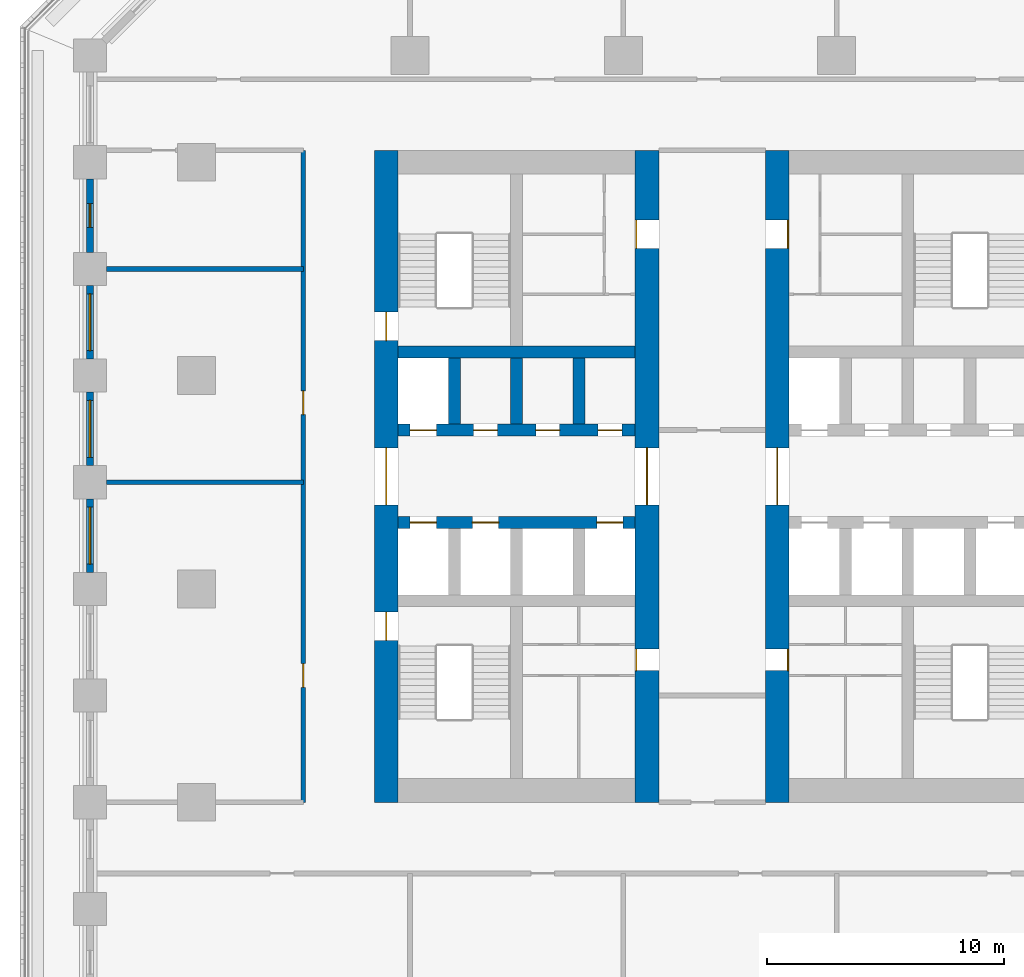
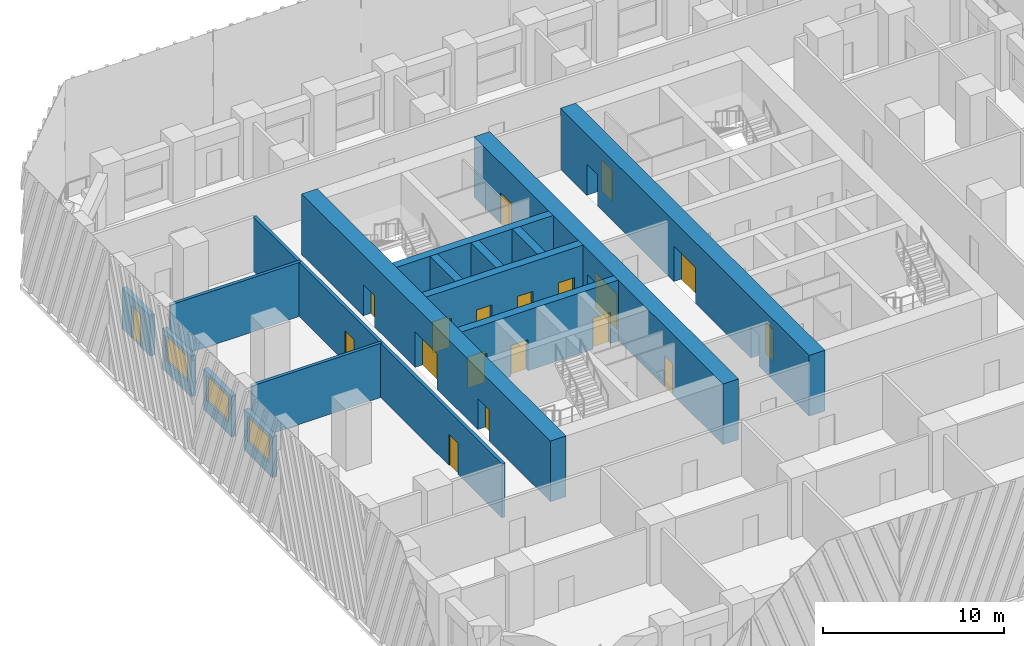
# One storey, part 5 of 14: 19 doors, 16 walls, 3 windows, 22 openings.
"""IFC4 building model written with IfcOpenShell, lengths in metres."""

from ifc_helpers import new_model, si_unit, direction, frame, frame_2d, origin, place, context, subcontext, project, spatial, rectangle, extrude, material, layer, layer_set, type_object, element, fill, save


model = new_model("IFC4")

# Units and contexts
model_context = context("Model", 3, precision=1e-05, world=origin(), true_north=direction((0.0, 1.0)))
body_context = subcontext(model_context, "Body", "Model", "MODEL_VIEW")
ifc_project = project(units=[si_unit("LENGTHUNIT", "METRE"), si_unit("AREAUNIT", "SQUARE_METRE"), si_unit("VOLUMEUNIT", "CUBIC_METRE"), si_unit("PLANEANGLEUNIT", "RADIAN"), si_unit("MASSUNIT", "GRAM", prefix="KILO")], contexts=[model_context])

# Site, building, storey
site_placement = place(None, origin())
site = spatial("IfcSite", under=ifc_project, at=site_placement, CompositionType="ELEMENT")
building_placement = place(site_placement, origin())
building = spatial("IfcBuilding", under=site, at=building_placement, Name="Corbel Stack Research Tower", CompositionType="ELEMENT")
storey_placement = place(building_placement, frame((0.0, 0.0, 58.300048828125)))
storey = spatial("IfcBuildingStorey", under=building, at=storey_placement, Name="L13", CompositionType="ELEMENT", Elevation=58.300048828125)

# Wall, openings, doors
ifc_material_1 = material(Name="Concrete C70/85", Category="concrete")
ifc_layer_1 = layer(ifc_material_1, 1.0)
ifc_layer_set_1 = layer_set([ifc_layer_1], Name="Concrete C70/85")
wall_type_1 = type_object("IfcWallType", Name="CW-1000-70", PredefinedType="SHEAR", material=ifc_layer_set_1)
wall_1_placement = place(storey_placement, frame((-10.0, -9.0, 0.0), z_axis=(0.0, 0.0, 1.0), x_axis=(0.0, 1.0, 0.0)))
wall_1 = element("IfcWall", 1, at=wall_1_placement, inside=storey, type_object=wall_type_1, Name="West core wall, west face L13", PredefinedType="SHEAR", context=body_context, shape_type="SweptSolid", body=[
    extrude(rectangle(XDim=27.5, YDim=1.0, at=frame_2d((13.75, 0.0))), origin(), (0.0, 0.0, 1.0), 4.099853515625),
])
opening_1_placement = place(wall_1_placement, frame((12.550048828125, 0.0, 0.0)))
opening_1 = element("IfcOpeningElement", 2, at=opening_1_placement, cuts=wall_1, Name="Opening CD-W-W", PredefinedType="OPENING", context=body_context, shape_type="SweptSolid", body=[
    extrude(rectangle(XDim=2.39990234375, YDim=2.39990234375, at=frame_2d((1.199951171875, 1.199951171875))), frame((0.0, 0.510009765625, 0.0), z_axis=(0.0, -1.0, 0.0), x_axis=(1.0, 0.0, 0.0)), (0.0, 0.0, 1.0), 1.02001953125),
])
opening_2_placement = place(wall_1_placement, frame((6.824951171875, 0.0, 0.0)))
opening_2 = element("IfcOpeningElement", 3, at=opening_2_placement, cuts=wall_1, Name="Opening SD-ST-W1", PredefinedType="OPENING", context=body_context, shape_type="SweptSolid", body=[
    extrude(rectangle(XDim=1.199951171875, YDim=2.10009765625, at=frame_2d((0.60009765625, 1.050048828125))), frame((0.0, 0.510009765625, 0.0), z_axis=(0.0, -1.0, 0.0), x_axis=(1.0, 0.0, 0.0)), (0.0, 0.0, 1.0), 1.02001953125),
])
opening_3_placement = place(wall_1_placement, frame((19.47509765625, 0.0, 0.0)))
opening_3 = element("IfcOpeningElement", 4, at=opening_3_placement, cuts=wall_1, Name="Opening SD-ST-W2", PredefinedType="OPENING", context=body_context, shape_type="SweptSolid", body=[
    extrude(rectangle(XDim=1.199951171875, YDim=2.10009765625, at=frame_2d((0.60009765625, 1.050048828125))), frame((0.0, 0.510009765625, 0.0), z_axis=(0.0, -1.0, 0.0), x_axis=(1.0, 0.0, 0.0)), (0.0, 0.0, 1.0), 1.02001953125),
])
ifc_material_2 = material(Name="Painted steel fire door", Category="steel")
door_type_1 = type_object("IfcDoorType", Name="Lobby door pair 2400 x 2400 FD30S", OperationType="DOUBLE_DOOR_DOUBLE_SWING", PredefinedType="DOOR", material=ifc_material_2)
door_1_placement = place(opening_1_placement, origin())
door_1 = element("IfcDoor", 5, at=door_1_placement, inside=storey, type_object=door_type_1, Name="Lift lobby door W core W", OperationType="DOUBLE_DOOR_DOUBLE_SWING", OverallHeight=2.39990234375, OverallWidth=2.39990234375, PredefinedType="DOOR", context=body_context, shape_type="SweptSolid", body=[
    extrude(rectangle(XDim=2.39990234375, YDim=2.39990234375, at=frame_2d((1.199951171875, 1.199951171875))), frame((0.0, 0.02490234375, 0.0), z_axis=(0.0, -1.0, 0.0), x_axis=(1.0, 0.0, 0.0)), (0.0, 0.0, 1.0), 0.050048828125),
])
fill(opening_1, door_1)
ifc_material_3 = material(Name="Painted steel fire door", Category="steel")
door_type_2 = type_object("IfcDoorType", Name="Stair door 1200 x 2100 FD90 left hand", OperationType="SINGLE_SWING_LEFT", PredefinedType="DOOR", material=ifc_material_3)
door_2_placement = place(opening_2_placement, origin())
door_2 = element("IfcDoor", 6, at=door_2_placement, inside=storey, type_object=door_type_2, Name="Stair door ST-W1", OperationType="SINGLE_SWING_LEFT", OverallHeight=2.10009765625, OverallWidth=1.199951171875, PredefinedType="DOOR", context=body_context, shape_type="SweptSolid", body=[
    extrude(rectangle(XDim=1.199951171875, YDim=2.10009765625, at=frame_2d((0.60009765625, 1.050048828125))), frame((0.0, 0.02490234375, 0.0), z_axis=(0.0, -1.0, 0.0), x_axis=(1.0, 0.0, 0.0)), (0.0, 0.0, 1.0), 0.050048828125),
])
fill(opening_2, door_2)
door_3_placement = place(opening_3_placement, origin())
door_3 = element("IfcDoor", 7, at=door_3_placement, inside=storey, type_object=door_type_2, Name="Stair door ST-W2", OperationType="SINGLE_SWING_LEFT", OverallHeight=2.10009765625, OverallWidth=1.199951171875, PredefinedType="DOOR", context=body_context, shape_type="SweptSolid", body=[
    extrude(rectangle(XDim=1.199951171875, YDim=2.10009765625, at=frame_2d((0.60009765625, 1.050048828125))), frame((0.0, 0.02490234375, 0.0), z_axis=(0.0, -1.0, 0.0), x_axis=(1.0, 0.0, 0.0)), (0.0, 0.0, 1.0), 0.050048828125),
])
fill(opening_3, door_3)

wall_2_placement = place(storey_placement, frame((1.0, -9.0, 0.0), z_axis=(0.0, 0.0, 1.0), x_axis=(0.0, 1.0, 0.0)))
wall_2 = element("IfcWall", 8, at=wall_2_placement, inside=storey, type_object=wall_type_1, Name="West core wall, east face L13", PredefinedType="SHEAR", context=body_context, shape_type="SweptSolid", body=[
    extrude(rectangle(XDim=27.5, YDim=1.0, at=frame_2d((13.75, 0.0))), origin(), (0.0, 0.0, 1.0), 4.099853515625),
])
opening_4_placement = place(wall_2_placement, frame((12.550048828125, 0.0, 0.0)))
opening_4 = element("IfcOpeningElement", 9, at=opening_4_placement, cuts=wall_2, Name="Opening CD-W-E", PredefinedType="OPENING", context=body_context, shape_type="SweptSolid", body=[
    extrude(rectangle(XDim=2.39990234375, YDim=2.39990234375, at=frame_2d((1.199951171875, 1.199951171875))), frame((0.0, 0.510009765625, 0.0), z_axis=(0.0, -1.0, 0.0), x_axis=(1.0, 0.0, 0.0)), (0.0, 0.0, 1.0), 1.02001953125),
])
opening_5_placement = place(wall_2_placement, frame((5.550048828125, 0.0, 0.0)))
opening_5 = element("IfcOpeningElement", 10, at=opening_5_placement, cuts=wall_2, Name="Opening CR-W54-W1-905", PredefinedType="OPENING", context=body_context, shape_type="SweptSolid", body=[
    extrude(rectangle(XDim=0.905029296875, YDim=2.10009765625, at=frame_2d((0.45263671875, 1.050048828125))), frame((0.0, 0.510009765625, 0.0), z_axis=(0.0, -1.0, 0.0), x_axis=(1.0, 0.0, 0.0)), (0.0, 0.0, 1.0), 1.02001953125),
])
opening_6_placement = place(wall_2_placement, frame((23.362548828125, 0.0, 0.0)))
opening_6 = element("IfcOpeningElement", 11, at=opening_6_placement, cuts=wall_2, Name="Opening CR-W54-R2-1200", PredefinedType="OPENING", context=body_context, shape_type="SweptSolid", body=[
    extrude(rectangle(XDim=1.199951171875, YDim=2.10009765625, at=frame_2d((0.60009765625, 1.050048828125))), frame((0.0, 0.510009765625, 0.0), z_axis=(0.0, -1.0, 0.0), x_axis=(1.0, 0.0, 0.0)), (0.0, 0.0, 1.0), 1.02001953125),
])
door_4_placement = place(opening_4_placement, origin())
door_4 = element("IfcDoor", 12, at=door_4_placement, inside=storey, type_object=door_type_1, Name="Lift lobby door W core E", OperationType="DOUBLE_DOOR_DOUBLE_SWING", OverallHeight=2.39990234375, OverallWidth=2.39990234375, PredefinedType="DOOR", context=body_context, shape_type="SweptSolid", body=[
    extrude(rectangle(XDim=2.39990234375, YDim=2.39990234375, at=frame_2d((1.199951171875, 1.199951171875))), frame((0.0, 0.02490234375, 0.0), z_axis=(0.0, -1.0, 0.0), x_axis=(1.0, 0.0, 0.0)), (0.0, 0.0, 1.0), 0.050048828125),
])
fill(opening_4, door_4)
ifc_material_4 = material(Name="Painted steel door", Category="steel")
door_type_3 = type_object("IfcDoorType", Name="Service door 1200 x 2100 FD30 right hand", OperationType="SINGLE_SWING_RIGHT", PredefinedType="DOOR", material=ifc_material_4)
door_5_placement = place(opening_6_placement, origin())
door_5 = element("IfcDoor", 13, at=door_5_placement, inside=storey, type_object=door_type_3, Name="Service passage door W core", OperationType="SINGLE_SWING_RIGHT", OverallHeight=2.10009765625, OverallWidth=1.199951171875, PredefinedType="DOOR", context=body_context, shape_type="SweptSolid", body=[
    extrude(rectangle(XDim=1.199951171875, YDim=2.10009765625, at=frame_2d((0.60009765625, 1.050048828125))), frame((0.0, 0.47509765625, 0.0), z_axis=(0.0, -1.0, 0.0), x_axis=(1.0, 0.0, 0.0)), (0.0, 0.0, 1.0), 0.050048828125),
])
fill(opening_6, door_5)
ifc_material_5 = material(Name="Painted timber door", Category="wood")
door_type_4 = type_object("IfcDoorType", Name="WC door 905 x 2100 left hand", OperationType="SINGLE_SWING_LEFT", PredefinedType="DOOR", material=ifc_material_5)
door_6_placement = place(opening_5_placement, origin())
door_6 = element("IfcDoor", 14, at=door_6_placement, inside=storey, type_object=door_type_4, Name="WC lobby door W core", OperationType="SINGLE_SWING_LEFT", OverallHeight=2.10009765625, OverallWidth=0.905029296875, PredefinedType="DOOR", context=body_context, shape_type="SweptSolid", body=[
    extrude(rectangle(XDim=0.905029296875, YDim=2.10009765625, at=frame_2d((0.45263671875, 1.050048828125))), frame((0.0, 0.47509765625, 0.0), z_axis=(0.0, -1.0, 0.0), x_axis=(1.0, 0.0, 0.0)), (0.0, 0.0, 1.0), 0.050048828125),
])
fill(opening_5, door_6)

wall_3_placement = place(storey_placement, frame((6.5, -9.0, 0.0), z_axis=(0.0, 0.0, 1.0), x_axis=(0.0, 1.0, 0.0)))
wall_3 = element("IfcWall", 15, at=wall_3_placement, inside=storey, type_object=wall_type_1, Name="East core wall, west face L13", PredefinedType="SHEAR", context=body_context, shape_type="SweptSolid", body=[
    extrude(rectangle(XDim=27.5, YDim=1.0, at=frame_2d((13.75, 0.0))), origin(), (0.0, 0.0, 1.0), 4.099853515625),
])
opening_7_placement = place(wall_3_placement, frame((12.550048828125, 0.0, 0.0)))
opening_7 = element("IfcOpeningElement", 16, at=opening_7_placement, cuts=wall_3, Name="Opening CD-E-W", PredefinedType="OPENING", context=body_context, shape_type="SweptSolid", body=[
    extrude(rectangle(XDim=2.39990234375, YDim=2.39990234375, at=frame_2d((1.199951171875, 1.199951171875))), frame((0.0, 0.510009765625, 0.0), z_axis=(0.0, -1.0, 0.0), x_axis=(1.0, 0.0, 0.0)), (0.0, 0.0, 1.0), 1.02001953125),
])
opening_8_placement = place(wall_3_placement, frame((5.550048828125, 0.0, 0.0)))
opening_8 = element("IfcOpeningElement", 17, at=opening_8_placement, cuts=wall_3, Name="Opening CR-E54-W1-905", PredefinedType="OPENING", context=body_context, shape_type="SweptSolid", body=[
    extrude(rectangle(XDim=0.905029296875, YDim=2.10009765625, at=frame_2d((0.45263671875, 1.050048828125))), frame((0.0, 0.510009765625, 0.0), z_axis=(0.0, -1.0, 0.0), x_axis=(1.0, 0.0, 0.0)), (0.0, 0.0, 1.0), 1.02001953125),
])
opening_9_placement = place(wall_3_placement, frame((23.362548828125, 0.0, 0.0)))
opening_9 = element("IfcOpeningElement", 18, at=opening_9_placement, cuts=wall_3, Name="Opening CR-E54-R2-1200", PredefinedType="OPENING", context=body_context, shape_type="SweptSolid", body=[
    extrude(rectangle(XDim=1.199951171875, YDim=2.10009765625, at=frame_2d((0.60009765625, 1.050048828125))), frame((0.0, 0.510009765625, 0.0), z_axis=(0.0, -1.0, 0.0), x_axis=(1.0, 0.0, 0.0)), (0.0, 0.0, 1.0), 1.02001953125),
])
door_7_placement = place(opening_7_placement, origin())
door_7 = element("IfcDoor", 19, at=door_7_placement, inside=storey, type_object=door_type_1, Name="Lift lobby door E core W", OperationType="DOUBLE_DOOR_DOUBLE_SWING", OverallHeight=2.39990234375, OverallWidth=2.39990234375, PredefinedType="DOOR", context=body_context, shape_type="SweptSolid", body=[
    extrude(rectangle(XDim=2.39990234375, YDim=2.39990234375, at=frame_2d((1.199951171875, 1.199951171875))), frame((0.0, 0.02490234375, 0.0), z_axis=(0.0, -1.0, 0.0), x_axis=(1.0, 0.0, 0.0)), (0.0, 0.0, 1.0), 0.050048828125),
])
fill(opening_7, door_7)
ifc_material_6 = material(Name="Painted steel door", Category="steel")
door_type_5 = type_object("IfcDoorType", Name="Service door 1200 x 2100 FD30 left hand", OperationType="SINGLE_SWING_LEFT", PredefinedType="DOOR", material=ifc_material_6)
door_8_placement = place(opening_9_placement, origin())
door_8 = element("IfcDoor", 20, at=door_8_placement, inside=storey, type_object=door_type_5, Name="Service passage door E core", OperationType="SINGLE_SWING_LEFT", OverallHeight=2.10009765625, OverallWidth=1.199951171875, PredefinedType="DOOR", context=body_context, shape_type="SweptSolid", body=[
    extrude(rectangle(XDim=1.199951171875, YDim=2.10009765625, at=frame_2d((0.60009765625, 1.050048828125))), frame((0.0, -0.4248046875, 0.0), z_axis=(0.0, -1.0, 0.0), x_axis=(1.0, 0.0, 0.0)), (0.0, 0.0, 1.0), 0.050048828125),
])
fill(opening_9, door_8)
ifc_material_7 = material(Name="Painted timber door", Category="wood")
door_type_6 = type_object("IfcDoorType", Name="WC door 905 x 2100 right hand", OperationType="SINGLE_SWING_RIGHT", PredefinedType="DOOR", material=ifc_material_7)
door_9_placement = place(opening_8_placement, origin())
door_9 = element("IfcDoor", 21, at=door_9_placement, inside=storey, type_object=door_type_6, Name="WC lobby door E core", OperationType="SINGLE_SWING_RIGHT", OverallHeight=2.10009765625, OverallWidth=0.905029296875, PredefinedType="DOOR", context=body_context, shape_type="SweptSolid", body=[
    extrude(rectangle(XDim=0.905029296875, YDim=2.10009765625, at=frame_2d((0.45263671875, 1.050048828125))), frame((0.0, -0.4248046875, 0.0), z_axis=(0.0, -1.0, 0.0), x_axis=(1.0, 0.0, 0.0)), (0.0, 0.0, 1.0), 0.050048828125),
])
fill(opening_8, door_9)

ifc_material_8 = material(Name="Concrete C70/85", Category="concrete")
ifc_layer_2 = layer(ifc_material_8, 0.5)
ifc_layer_set_2 = layer_set([ifc_layer_2], Name="Concrete C70/85")
wall_type_2 = type_object("IfcWallType", Name="CW-500-70", PredefinedType="SHEAR", material=ifc_layer_set_2)
wall_4_placement = place(storey_placement, frame((-9.5, 2.800048828125, 0.0), z_axis=(0.0, 0.0, 1.0), x_axis=(1.0, 0.0, 0.0)))
wall_4 = element("IfcWall", 22, at=wall_4_placement, inside=storey, type_object=wall_type_2, Name="West core wall, lobby south L13", PredefinedType="SHEAR", context=body_context, shape_type="SweptSolid", body=[
    extrude(rectangle(XDim=10.0, YDim=0.5, at=frame_2d((5.0, 0.0))), origin(), (0.0, 0.0, 1.0), 4.099853515625),
])
opening_10_placement = place(wall_4_placement, frame((0.512451171875, 0.0, 0.0)))
opening_10 = element("IfcOpeningElement", 23, at=opening_10_placement, cuts=wall_4, Name="Opening LD-FS1", PredefinedType="OPENING", context=body_context, shape_type="SweptSolid", body=[
    extrude(rectangle(XDim=1.10009765625, YDim=2.10009765625, at=frame_2d((0.550048828125, 1.050048828125))), frame((0.0, 0.260009765625, 0.0), z_axis=(0.0, -1.0, 0.0), x_axis=(1.0, 0.0, 0.0)), (0.0, 0.0, 1.0), 0.52001953125),
])
opening_11_placement = place(wall_4_placement, frame((3.137451171875, 0.0, 0.0)))
opening_11 = element("IfcOpeningElement", 24, at=opening_11_placement, cuts=wall_4, Name="Opening LD-GL1", PredefinedType="OPENING", context=body_context, shape_type="SweptSolid", body=[
    extrude(rectangle(XDim=1.10009765625, YDim=2.10009765625, at=frame_2d((0.550048828125, 1.050048828125))), frame((0.0, 0.260009765625, 0.0), z_axis=(0.0, -1.0, 0.0), x_axis=(1.0, 0.0, 0.0)), (0.0, 0.0, 1.0), 0.52001953125),
])
opening_12_placement = place(wall_4_placement, frame((8.387451171875, 0.0, 0.0)))
opening_12 = element("IfcOpeningElement", 25, at=opening_12_placement, cuts=wall_4, Name="Opening LD-LR1", PredefinedType="OPENING", context=body_context, shape_type="SweptSolid", body=[
    extrude(rectangle(XDim=1.10009765625, YDim=2.10009765625, at=frame_2d((0.550048828125, 1.050048828125))), frame((0.0, 0.260009765625, 0.0), z_axis=(0.0, -1.0, 0.0), x_axis=(1.0, 0.0, 0.0)), (0.0, 0.0, 1.0), 0.52001953125),
])
ifc_material_9 = material(Name="Stainless steel landing door", Category="steel")
door_type_7 = type_object("IfcDoorType", Name="Lift landing door 1100 x 2100", OperationType="DOUBLE_DOOR_SLIDING", PredefinedType="DOOR", material=ifc_material_9)
door_10_placement = place(opening_10_placement, origin())
door_10 = element("IfcDoor", 26, at=door_10_placement, inside=storey, type_object=door_type_7, Name="Landing door FS1", OperationType="DOUBLE_DOOR_SLIDING", OverallHeight=2.10009765625, OverallWidth=1.10009765625, PredefinedType="DOOR", context=body_context, shape_type="SweptSolid", body=[
    extrude(rectangle(XDim=1.10009765625, YDim=2.10009765625, at=frame_2d((0.550048828125, 1.050048828125))), frame((0.0, 0.02490234375, 0.0), z_axis=(0.0, -1.0, 0.0), x_axis=(1.0, 0.0, 0.0)), (0.0, 0.0, 1.0), 0.050048828125),
])
fill(opening_10, door_10)
door_11_placement = place(opening_11_placement, origin())
door_11 = element("IfcDoor", 27, at=door_11_placement, inside=storey, type_object=door_type_7, Name="Landing door GL1", OperationType="DOUBLE_DOOR_SLIDING", OverallHeight=2.10009765625, OverallWidth=1.10009765625, PredefinedType="DOOR", context=body_context, shape_type="SweptSolid", body=[
    extrude(rectangle(XDim=1.10009765625, YDim=2.10009765625, at=frame_2d((0.550048828125, 1.050048828125))), frame((0.0, 0.02490234375, 0.0), z_axis=(0.0, -1.0, 0.0), x_axis=(1.0, 0.0, 0.0)), (0.0, 0.0, 1.0), 0.050048828125),
])
fill(opening_11, door_11)
door_12_placement = place(opening_12_placement, origin())
door_12 = element("IfcDoor", 28, at=door_12_placement, inside=storey, type_object=door_type_7, Name="Landing door LR1", OperationType="DOUBLE_DOOR_SLIDING", OverallHeight=2.10009765625, OverallWidth=1.10009765625, PredefinedType="DOOR", context=body_context, shape_type="SweptSolid", body=[
    extrude(rectangle(XDim=1.10009765625, YDim=2.10009765625, at=frame_2d((0.550048828125, 1.050048828125))), frame((0.0, 0.02490234375, 0.0), z_axis=(0.0, -1.0, 0.0), x_axis=(1.0, 0.0, 0.0)), (0.0, 0.0, 1.0), 0.050048828125),
])
fill(opening_12, door_12)

wall_5_placement = place(storey_placement, frame((-9.5, 6.699951171875, 0.0), z_axis=(0.0, 0.0, 1.0), x_axis=(1.0, 0.0, 0.0)))
wall_5 = element("IfcWall", 29, at=wall_5_placement, inside=storey, type_object=wall_type_2, Name="West core wall, lobby north L13", PredefinedType="SHEAR", context=body_context, shape_type="SweptSolid", body=[
    extrude(rectangle(XDim=10.0, YDim=0.5, at=frame_2d((5.0, 0.0))), origin(), (0.0, 0.0, 1.0), 4.099853515625),
])
opening_13_placement = place(wall_5_placement, frame((0.512451171875, 0.0, 0.0)))
opening_13 = element("IfcOpeningElement", 30, at=opening_13_placement, cuts=wall_5, Name="Opening LD-LR2", PredefinedType="OPENING", context=body_context, shape_type="SweptSolid", body=[
    extrude(rectangle(XDim=1.10009765625, YDim=2.10009765625, at=frame_2d((0.550048828125, 1.050048828125))), frame((0.0, 0.260009765625, 0.0), z_axis=(0.0, -1.0, 0.0), x_axis=(1.0, 0.0, 0.0)), (0.0, 0.0, 1.0), 0.52001953125),
])
opening_14_placement = place(wall_5_placement, frame((3.1875, 0.0, 0.0)))
opening_14 = element("IfcOpeningElement", 31, at=opening_14_placement, cuts=wall_5, Name="Opening CR-W54-N2", PredefinedType="OPENING", context=body_context, shape_type="SweptSolid", body=[
    extrude(rectangle(XDim=1.0, YDim=2.10009765625, at=frame_2d((0.5, 1.050048828125))), frame((0.0, 0.260009765625, 0.0), z_axis=(0.0, -1.0, 0.0), x_axis=(1.0, 0.0, 0.0)), (0.0, 0.0, 1.0), 0.52001953125),
])
opening_15_placement = place(wall_5_placement, frame((5.8125, 0.0, 0.0)))
opening_15 = element("IfcOpeningElement", 32, at=opening_15_placement, cuts=wall_5, Name="Opening CR-W54-N3", PredefinedType="OPENING", context=body_context, shape_type="SweptSolid", body=[
    extrude(rectangle(XDim=1.0, YDim=2.10009765625, at=frame_2d((0.5, 1.050048828125))), frame((0.0, 0.260009765625, 0.0), z_axis=(0.0, -1.0, 0.0), x_axis=(1.0, 0.0, 0.0)), (0.0, 0.0, 1.0), 0.52001953125),
])
opening_16_placement = place(wall_5_placement, frame((8.4375, 0.0, 0.0)))
opening_16 = element("IfcOpeningElement", 33, at=opening_16_placement, cuts=wall_5, Name="Opening CR-W54-N4", PredefinedType="OPENING", context=body_context, shape_type="SweptSolid", body=[
    extrude(rectangle(XDim=1.0, YDim=2.10009765625, at=frame_2d((0.5, 1.050048828125))), frame((0.0, 0.260009765625, 0.0), z_axis=(0.0, -1.0, 0.0), x_axis=(1.0, 0.0, 0.0)), (0.0, 0.0, 1.0), 0.52001953125),
])
door_13_placement = place(opening_13_placement, origin())
door_13 = element("IfcDoor", 34, at=door_13_placement, inside=storey, type_object=door_type_7, Name="Landing door LR2", OperationType="DOUBLE_DOOR_SLIDING", OverallHeight=2.10009765625, OverallWidth=1.10009765625, PredefinedType="DOOR", context=body_context, shape_type="SweptSolid", body=[
    extrude(rectangle(XDim=1.10009765625, YDim=2.10009765625, at=frame_2d((0.550048828125, 1.050048828125))), frame((0.0, 0.02490234375, 0.0), z_axis=(0.0, -1.0, 0.0), x_axis=(1.0, 0.0, 0.0)), (0.0, 0.0, 1.0), 0.050048828125),
])
fill(opening_13, door_13)
ifc_material_10 = material(Name="Painted steel door", Category="steel")
door_type_8 = type_object("IfcDoorType", Name="Service door 1000 x 2100 FD60 left hand", OperationType="SINGLE_SWING_LEFT", PredefinedType="DOOR", material=ifc_material_10)
door_14_placement = place(opening_15_placement, origin())
door_14 = element("IfcDoor", 35, at=door_14_placement, inside=storey, type_object=door_type_8, Name="Copy and supply store door W core", OperationType="SINGLE_SWING_LEFT", OverallHeight=2.10009765625, OverallWidth=1.0, PredefinedType="DOOR", context=body_context, shape_type="SweptSolid", body=[
    extrude(rectangle(XDim=1.0, YDim=2.10009765625, at=frame_2d((0.5, 1.050048828125))), frame((0.0, 0.02490234375, 0.0), z_axis=(0.0, -1.0, 0.0), x_axis=(1.0, 0.0, 0.0)), (0.0, 0.0, 1.0), 0.050048828125),
])
fill(opening_15, door_14)
ifc_material_11 = material(Name="Painted steel door", Category="steel")
door_type_9 = type_object("IfcDoorType", Name="Service door 1000 x 2100 FD60 right hand", OperationType="SINGLE_SWING_RIGHT", PredefinedType="DOOR", material=ifc_material_11)
door_15_placement = place(opening_14_placement, origin())
door_15 = element("IfcDoor", 36, at=door_15_placement, inside=storey, type_object=door_type_9, Name="Telecom room door W core", OperationType="SINGLE_SWING_RIGHT", OverallHeight=2.10009765625, OverallWidth=1.0, PredefinedType="DOOR", context=body_context, shape_type="SweptSolid", body=[
    extrude(rectangle(XDim=1.0, YDim=2.10009765625, at=frame_2d((0.5, 1.050048828125))), frame((0.0, 0.02490234375, 0.0), z_axis=(0.0, -1.0, 0.0), x_axis=(1.0, 0.0, 0.0)), (0.0, 0.0, 1.0), 0.050048828125),
])
fill(opening_14, door_15)
door_16_placement = place(opening_16_placement, origin())
door_16 = element("IfcDoor", 37, at=door_16_placement, inside=storey, type_object=door_type_9, Name="Records store door W core", OperationType="SINGLE_SWING_RIGHT", OverallHeight=2.10009765625, OverallWidth=1.0, PredefinedType="DOOR", context=body_context, shape_type="SweptSolid", body=[
    extrude(rectangle(XDim=1.0, YDim=2.10009765625, at=frame_2d((0.5, 1.050048828125))), frame((0.0, 0.02490234375, 0.0), z_axis=(0.0, -1.0, 0.0), x_axis=(1.0, 0.0, 0.0)), (0.0, 0.0, 1.0), 0.050048828125),
])
fill(opening_16, door_16)

# Walls
wall_6_placement = place(storey_placement, frame((-9.5, 10.0, 0.0), z_axis=(0.0, 0.0, 1.0), x_axis=(1.0, 0.0, 0.0)))
element("IfcWall", 38, at=wall_6_placement, inside=storey, type_object=wall_type_2, Name="West core wall, north row back L13", PredefinedType="SHEAR", context=body_context, shape_type="SweptSolid", body=[
    extrude(rectangle(XDim=10.0, YDim=0.5, at=frame_2d((5.0, 0.0))), origin(), (0.0, 0.0, 1.0), 4.099853515625),
])
for number, where, z_axis, x_axis, name in (
    (39, (-7.125, 6.949951171875, 0.0), (0.0, 0.0, 1.0), (0.0, 1.0, 0.0), "West core wall, north shaft 1 L13"),
    (40, (-4.5, 6.949951171875, 0.0), (0.0, 0.0, 1.0), (0.0, 1.0, 0.0), "West core wall, north shaft 2 L13"),
    (41, (-1.875, 6.949951171875, 0.0), (0.0, 0.0, 1.0), (0.0, 1.0, 0.0), "West core wall, north shaft 3 L13"),
):
    element("IfcWall", number, at=place(storey_placement, frame(where, z_axis=z_axis, x_axis=x_axis)), inside=storey, type_object=wall_type_2, Name=name, PredefinedType="SHEAR", context=body_context, shape_type="SweptSolid", body=[
        extrude(rectangle(XDim=2.800048828125, YDim=0.5, at=frame_2d((1.39990234375, 0.0))), origin(), (0.0, 0.0, 1.0), 4.099853515625),
    ])

# Wall, openings, doors
ifc_material_12 = material(Name="Fire-rated gypsum board partition on steel studs", Category="steel")
ifc_layer_3 = layer(ifc_material_12, 0.199951171875)
ifc_layer_set_3 = layer_set([ifc_layer_3], Name="Fire-rated gypsum board partition on steel studs")
wall_type_3 = type_object("IfcWallType", Name="Fire-rated partition 200 EI 60", PredefinedType="PARTITIONING", material=ifc_layer_set_3)
wall_7_placement = place(storey_placement, frame((-13.5, -9.0, 0.0), z_axis=(0.0, 0.0, 1.0), x_axis=(0.0, 1.0, 0.0)))
wall_7 = element("IfcWall", 42, at=wall_7_placement, inside=storey, type_object=wall_type_3, Name="Partition L13-001", PredefinedType="PARTITIONING", context=body_context, shape_type="SweptSolid", body=[
    extrude(rectangle(XDim=27.5, YDim=0.199951171875, at=frame_2d((13.75, 0.0))), origin(), (0.0, 0.0, 1.0), 3.64990234375),
])
opening_17_placement = place(wall_7_placement, frame((4.85009765625, 0.0, 0.0)))
opening_17 = element("IfcOpeningElement", 43, at=opening_17_placement, cuts=wall_7, Name="Opening B2V2-006", PredefinedType="OPENING", context=body_context, shape_type="SweptSolid", body=[
    extrude(rectangle(XDim=1.0, YDim=2.10009765625, at=frame_2d((0.5, 1.050048828125))), frame((0.0, 0.10986328125, 0.0), z_axis=(0.0, -1.0, 0.0), x_axis=(1.0, 0.0, 0.0)), (0.0, 0.0, 1.0), 0.219970703125),
])
opening_18_placement = place(wall_7_placement, frame((16.35009765625, 0.0, 0.0)))
opening_18 = element("IfcOpeningElement", 44, at=opening_18_placement, cuts=wall_7, Name="Opening B2V2-007", PredefinedType="OPENING", context=body_context, shape_type="SweptSolid", body=[
    extrude(rectangle(XDim=1.0, YDim=2.10009765625, at=frame_2d((0.5, 1.050048828125))), frame((0.0, 0.10986328125, 0.0), z_axis=(0.0, -1.0, 0.0), x_axis=(1.0, 0.0, 0.0)), (0.0, 0.0, 1.0), 0.219970703125),
])
ifc_material_13 = material(Name="Painted steel fire door", Category="steel")
door_type_10 = type_object("IfcDoorType", Name="Fire door FD30S 1000 x 2100", OperationType="NOTDEFINED", PredefinedType="DOOR", material=ifc_material_13)
door_17_placement = place(opening_17_placement, origin())
door_17 = element("IfcDoor", 45, at=door_17_placement, inside=storey, type_object=door_type_10, Name="Door B2V2-006", OperationType="SINGLE_SWING_LEFT", OverallHeight=2.10009765625, OverallWidth=1.0, PredefinedType="DOOR", context=body_context, shape_type="SweptSolid", body=[
    extrude(rectangle(XDim=1.0, YDim=2.10009765625, at=frame_2d((0.5, 1.050048828125))), frame((0.0, 0.02490234375, 0.0), z_axis=(0.0, -1.0, 0.0), x_axis=(1.0, 0.0, 0.0)), (0.0, 0.0, 1.0), 0.050048828125),
])
fill(opening_17, door_17)
door_18_placement = place(opening_18_placement, origin())
door_18 = element("IfcDoor", 46, at=door_18_placement, inside=storey, type_object=door_type_10, Name="Door B2V2-007", OperationType="SINGLE_SWING_RIGHT", OverallHeight=2.10009765625, OverallWidth=1.0, PredefinedType="DOOR", context=body_context, shape_type="SweptSolid", body=[
    extrude(rectangle(XDim=1.0, YDim=2.10009765625, at=frame_2d((0.5, 1.050048828125))), frame((0.0, 0.02490234375, 0.0), z_axis=(0.0, -1.0, 0.0), x_axis=(1.0, 0.0, 0.0)), (0.0, 0.0, 1.0), 0.050048828125),
])
fill(opening_18, door_18)

# Walls
for number, where, z_axis, x_axis, name in (
    (47, (-21.800048828125, 4.5, 0.0), (0.0, 0.0, 1.0), (1.0, 0.0, 0.0), "Partition L13-034"),
    (48, (-21.800048828125, 13.5, 0.0), (0.0, 0.0, 1.0), (1.0, 0.0, 0.0), "Partition L13-037"),
):
    element("IfcWall", number, at=place(storey_placement, frame(where, z_axis=z_axis, x_axis=x_axis)), inside=storey, type_object=wall_type_3, Name=name, PredefinedType="PARTITIONING", context=body_context, shape_type="SweptSolid", body=[
        extrude(rectangle(XDim=8.300048828125, YDim=0.199951171875, at=frame_2d((4.14990234375, 0.0))), origin(), (0.0, 0.0, 1.0), 3.64990234375),
    ])

# Wall, opening, door
ifc_material_14 = material(Name="Concrete C45/55", Category="concrete")
ifc_layer_4 = layer(ifc_material_14, 0.300048828125)
ifc_layer_set_4 = layer_set([ifc_layer_4], Name="Concrete C45/55")
wall_type_4 = type_object("IfcWallType", Name="Terracotta-faced concrete wall 300", PredefinedType="SOLIDWALL", material=ifc_layer_set_4)
wall_8_placement = place(storey_placement, frame((-22.5, 14.199951171875, 0.0), z_axis=(0.0, 0.0, 1.0), x_axis=(0.0, 1.0, 0.0)))
wall_8 = element("IfcWall", 49, at=wall_8_placement, inside=storey, type_object=wall_type_4, Name="Facade wall L13 W02", PredefinedType="SOLIDWALL", context=body_context, shape_type="SweptSolid", body=[
    extrude(rectangle(XDim=3.10009765625, YDim=0.300048828125, at=frame_2d((1.550048828125, 0.0))), origin(), (0.0, 0.0, 1.0), 2.75),
])
opening_19_placement = place(wall_8_placement, frame((1.050048828125, 0.0, 0.0)))
opening_19 = element("IfcOpeningElement", 50, at=opening_19_placement, cuts=wall_8, Name="Opening L13-B10", PredefinedType="OPENING", context=body_context, shape_type="SweptSolid", body=[
    extrude(rectangle(XDim=1.0, YDim=2.199951171875, at=frame_2d((0.5, 1.10009765625))), frame((0.0, 0.159912109375, 0.0), z_axis=(0.0, -1.0, 0.0), x_axis=(1.0, 0.0, 0.0)), (0.0, 0.0, 1.0), 0.320068359375),
])
ifc_material_15 = material(Name="Aluminium frame, clear double glazing", Category="aluminium")
door_type_11 = type_object("IfcDoorType", Name="Balcony door BD1 1000 x 2200", OperationType="NOTDEFINED", PredefinedType="DOOR", material=ifc_material_15)
door_19_placement = place(opening_19_placement, origin())
door_19 = element("IfcDoor", 51, at=door_19_placement, inside=storey, type_object=door_type_11, Name="Balcony door L13-B10", OperationType="SINGLE_SWING_LEFT", OverallHeight=2.199951171875, OverallWidth=1.0, PredefinedType="DOOR", context=body_context, shape_type="SweptSolid", body=[
    extrude(rectangle(XDim=1.0, YDim=2.199951171875, at=frame_2d((0.5, 1.10009765625))), frame((0.0, 0.02490234375, 0.0), z_axis=(0.0, -1.0, 0.0), x_axis=(1.0, 0.0, 0.0)), (0.0, 0.0, 1.0), 0.050048828125),
])
fill(opening_19, door_19)

# Wall, opening, window
wall_9_placement = place(storey_placement, frame((-22.5, 9.699951171875, 0.0), z_axis=(0.0, 0.0, 1.0), x_axis=(0.0, 1.0, 0.0)))
wall_9 = element("IfcWall", 52, at=wall_9_placement, inside=storey, type_object=wall_type_4, Name="Facade wall L13 W03", PredefinedType="SOLIDWALL", context=body_context, shape_type="SweptSolid", body=[
    extrude(rectangle(XDim=3.10009765625, YDim=0.300048828125, at=frame_2d((1.550048828125, 0.0))), origin(), (0.0, 0.0, 1.0), 2.75),
])
opening_20_placement = place(wall_9_placement, frame((0.35009765625, 0.0, 0.800048828125)))
opening_20 = element("IfcOpeningElement", 53, at=opening_20_placement, cuts=wall_9, Name="Opening W1", PredefinedType="OPENING", context=body_context, shape_type="SweptSolid", body=[
    extrude(rectangle(XDim=2.39990234375, YDim=1.699951171875, at=frame_2d((1.199951171875, 0.85009765625))), frame((0.0, 0.159912109375, 0.0), z_axis=(0.0, -1.0, 0.0), x_axis=(1.0, 0.0, 0.0)), (0.0, 0.0, 1.0), 0.320068359375),
])
ifc_material_16 = material(Name="Aluminium frame, clear double glazing", Category="aluminium")
window_type = type_object("IfcWindowType", Name="Window W1 2400 x 1700", PartitioningType="SINGLE_PANEL", PredefinedType="WINDOW", material=ifc_material_16)
window_1_placement = place(opening_20_placement, origin())
window_1 = element("IfcWindow", 54, at=window_1_placement, inside=storey, type_object=window_type, Name="Window W1 L13 W03", OverallHeight=1.699951171875, OverallWidth=2.39990234375, PartitioningType="SINGLE_PANEL", PredefinedType="WINDOW", context=body_context, shape_type="SweptSolid", body=[
    extrude(rectangle(XDim=2.39990234375, YDim=1.699951171875, at=frame_2d((1.199951171875, 0.85009765625))), frame((0.0, 0.030029296875, 0.0), z_axis=(0.0, -1.0, 0.0), x_axis=(1.0, 0.0, 0.0)), (0.0, 0.0, 1.0), 0.06005859375),
])
fill(opening_20, window_1)

wall_10_placement = place(storey_placement, frame((-22.5, 5.199951171875, 0.0), z_axis=(0.0, 0.0, 1.0), x_axis=(0.0, 1.0, 0.0)))
wall_10 = element("IfcWall", 55, at=wall_10_placement, inside=storey, type_object=wall_type_4, Name="Facade wall L13 W04", PredefinedType="SOLIDWALL", context=body_context, shape_type="SweptSolid", body=[
    extrude(rectangle(XDim=3.10009765625, YDim=0.300048828125, at=frame_2d((1.550048828125, 0.0))), origin(), (0.0, 0.0, 1.0), 2.75),
])
opening_21_placement = place(wall_10_placement, frame((0.35009765625, 0.0, 0.800048828125)))
opening_21 = element("IfcOpeningElement", 56, at=opening_21_placement, cuts=wall_10, Name="Opening W1", PredefinedType="OPENING", context=body_context, shape_type="SweptSolid", body=[
    extrude(rectangle(XDim=2.39990234375, YDim=1.699951171875, at=frame_2d((1.199951171875, 0.85009765625))), frame((0.0, 0.159912109375, 0.0), z_axis=(0.0, -1.0, 0.0), x_axis=(1.0, 0.0, 0.0)), (0.0, 0.0, 1.0), 0.320068359375),
])
window_2_placement = place(opening_21_placement, origin())
window_2 = element("IfcWindow", 57, at=window_2_placement, inside=storey, type_object=window_type, Name="Window W1 L13 W04", OverallHeight=1.699951171875, OverallWidth=2.39990234375, PartitioningType="SINGLE_PANEL", PredefinedType="WINDOW", context=body_context, shape_type="SweptSolid", body=[
    extrude(rectangle(XDim=2.39990234375, YDim=1.699951171875, at=frame_2d((1.199951171875, 0.85009765625))), frame((0.0, 0.030029296875, 0.0), z_axis=(0.0, -1.0, 0.0), x_axis=(1.0, 0.0, 0.0)), (0.0, 0.0, 1.0), 0.06005859375),
])
fill(opening_21, window_2)

wall_11_placement = place(storey_placement, frame((-22.5, 0.699951171875, 0.0), z_axis=(0.0, 0.0, 1.0), x_axis=(0.0, 1.0, 0.0)))
wall_11 = element("IfcWall", 58, at=wall_11_placement, inside=storey, type_object=wall_type_4, Name="Facade wall L13 W05", PredefinedType="SOLIDWALL", context=body_context, shape_type="SweptSolid", body=[
    extrude(rectangle(XDim=3.10009765625, YDim=0.300048828125, at=frame_2d((1.550048828125, 0.0))), origin(), (0.0, 0.0, 1.0), 2.75),
])
opening_22_placement = place(wall_11_placement, frame((0.35009765625, 0.0, 0.800048828125)))
opening_22 = element("IfcOpeningElement", 59, at=opening_22_placement, cuts=wall_11, Name="Opening W1", PredefinedType="OPENING", context=body_context, shape_type="SweptSolid", body=[
    extrude(rectangle(XDim=2.39990234375, YDim=1.699951171875, at=frame_2d((1.199951171875, 0.85009765625))), frame((0.0, 0.159912109375, 0.0), z_axis=(0.0, -1.0, 0.0), x_axis=(1.0, 0.0, 0.0)), (0.0, 0.0, 1.0), 0.320068359375),
])
window_3_placement = place(opening_22_placement, origin())
window_3 = element("IfcWindow", 60, at=window_3_placement, inside=storey, type_object=window_type, Name="Window W1 L13 W05", OverallHeight=1.699951171875, OverallWidth=2.39990234375, PartitioningType="SINGLE_PANEL", PredefinedType="WINDOW", context=body_context, shape_type="SweptSolid", body=[
    extrude(rectangle(XDim=2.39990234375, YDim=1.699951171875, at=frame_2d((1.199951171875, 0.85009765625))), frame((0.0, 0.030029296875, 0.0), z_axis=(0.0, -1.0, 0.0), x_axis=(1.0, 0.0, 0.0)), (0.0, 0.0, 1.0), 0.06005859375),
])
fill(opening_22, window_3)

save(model, "model.ifc")
